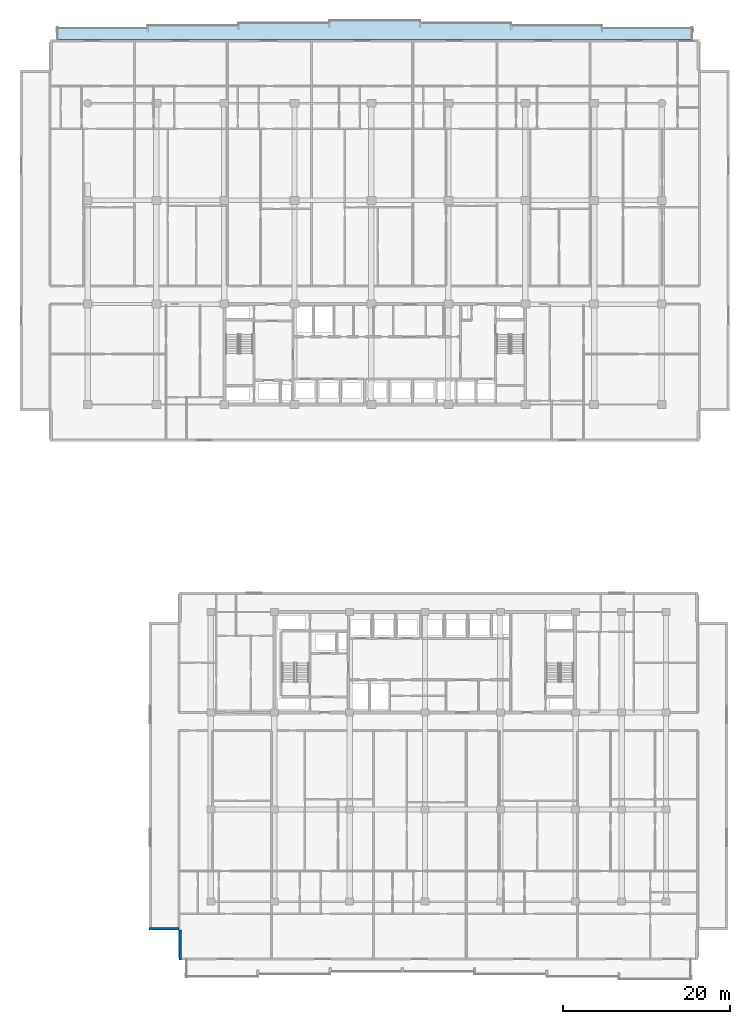
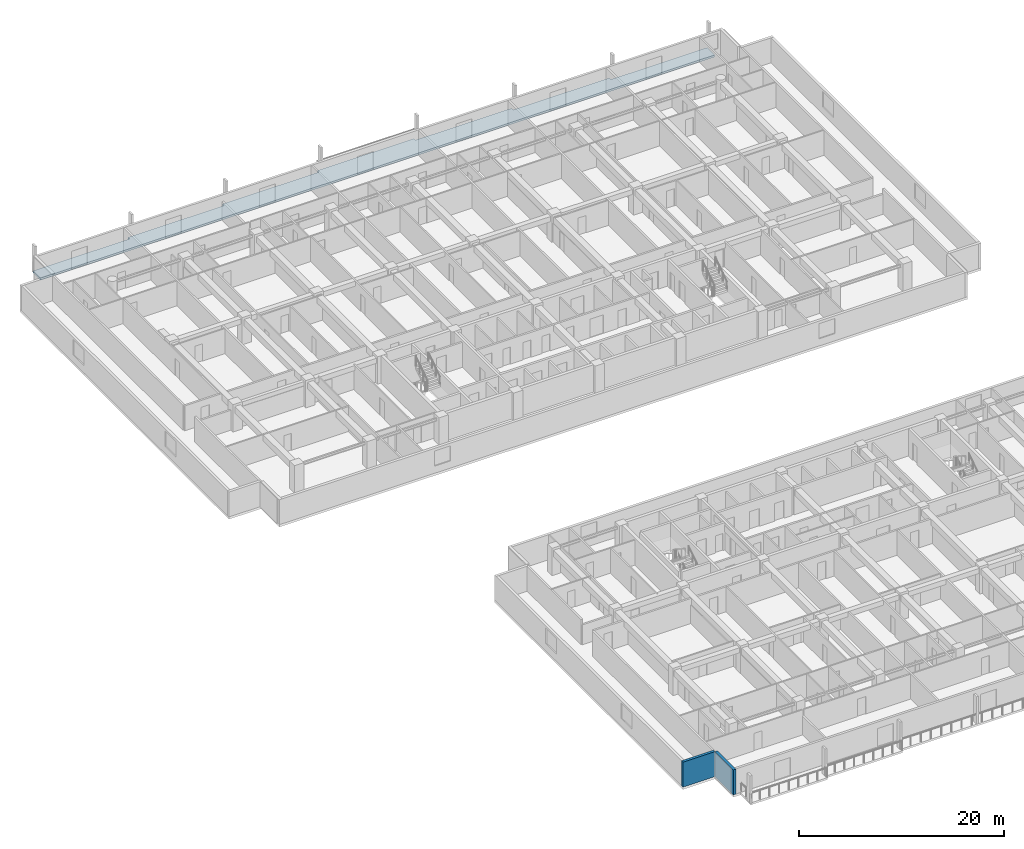
# One storey, part 3 of 23: 2 walls, 1 slab.
"""IFC4 building model written with IfcOpenShell, lengths in metres."""

from ifc_helpers import new_model, si_unit, direction, frame, frame_2d, origin, place, context, subcontext, project, spatial, polyline, rectangle, outline, extrude, material, layer, layer_set, type_object, element, save


model = new_model("IFC4")

# Units and contexts
model_context = context("Model", 3, precision=1e-05, world=origin(), true_north=direction((0.0, 1.0)))
body_context = subcontext(model_context, "Body", "Model", "MODEL_VIEW")
ifc_project = project(units=[si_unit("LENGTHUNIT", "METRE"), si_unit("AREAUNIT", "SQUARE_METRE"), si_unit("VOLUMEUNIT", "CUBIC_METRE"), si_unit("PLANEANGLEUNIT", "RADIAN"), si_unit("MASSUNIT", "GRAM", prefix="KILO")], contexts=[model_context])

# Site, building, storey
site_placement = place(None, origin())
site = spatial("IfcSite", under=ifc_project, at=site_placement, CompositionType="ELEMENT")
building_placement = place(site_placement, origin())
building = spatial("IfcBuilding", under=site, at=building_placement, Name="Korimba Cascade Residences", CompositionType="ELEMENT")
storey_placement = place(building_placement, frame((0.0, 0.0, 30.5)))
storey = spatial("IfcBuildingStorey", under=building, at=storey_placement, Name="L07", CompositionType="ELEMENT", Elevation=30.5)

# Slab
ifc_material = material(Name="Precast concrete C40/50", Category="concrete")
ifc_layer_1 = layer(ifc_material, 0.239990234375)
ifc_layer_set_1 = layer_set([ifc_layer_1], Name="Precast concrete C40/50")
slab_type = type_object("IfcSlabType", Name="SLB-LOG-240", PredefinedType="FLOOR", material=ifc_layer_set_1)
slab_placement = place(storey_placement, frame((0.0, 0.0, -0.239990234375)))
element("IfcSlab", 1, at=slab_placement, inside=storey, type_object=slab_type, Name="L07 Tower 1 North Loggia Slab", PredefinedType="FLOOR", context=body_context, shape_type="SweptSolid", body=[
    extrude(outline(polyline([(56.10009765625, 98.800048828125), (132.10009765625, 98.800048828125), (132.10009765625, 100.25), (121.242919921875, 100.25), (121.242919921875, 100.550048828125), (110.3857421875, 100.550048828125), (110.3857421875, 100.85009765625), (99.528564453125, 100.85009765625), (99.528564453125, 101.14990234375), (88.67138671875, 101.14990234375), (88.67138671875, 100.85009765625), (77.814208984375, 100.85009765625), (77.814208984375, 100.550048828125), (66.95703125, 100.550048828125), (66.95703125, 100.25), (56.10009765625, 100.25), (56.10009765625, 98.800048828125)])), origin(), (0.0, 0.0, 1.0), 0.239990234375),
])

# Walls
ifc_layer_2 = layer(ifc_material, 0.300048828125)
ifc_layer_set_2 = layer_set([ifc_layer_2], Name="Precast concrete C40/50")
wall_type = type_object("IfcWallType", Name="EW-STONE-300", PredefinedType="STANDARD", material=ifc_layer_set_2)
for number, where, z_axis, x_axis, name in (
    (2, (67.10009765625, -7.449951171875, 0.0), (0.0, 0.0, 1.0), (1.0, 0.0, 0.0), "L07 T2 Perimeter Stone Wall E10"),
    (3, (70.85009765625, -7.60009765625, 0.0), (0.0, 0.0, 1.0), (0.0, -1.0, 0.0), "L07 T2 Perimeter Stone Wall E11"),
):
    element("IfcWall", number, at=place(storey_placement, frame(where, z_axis=z_axis, x_axis=x_axis)), inside=storey, type_object=wall_type, Name=name, PredefinedType="STANDARD", context=body_context, shape_type="SweptSolid", body=[
        extrude(rectangle(XDim=3.599853515625, YDim=0.300048828125, at=frame_2d((1.7998046875, 0.0))), origin(), (0.0, 0.0, 1.0), 2.969970703125),
    ])

save(model, "model.ifc")
